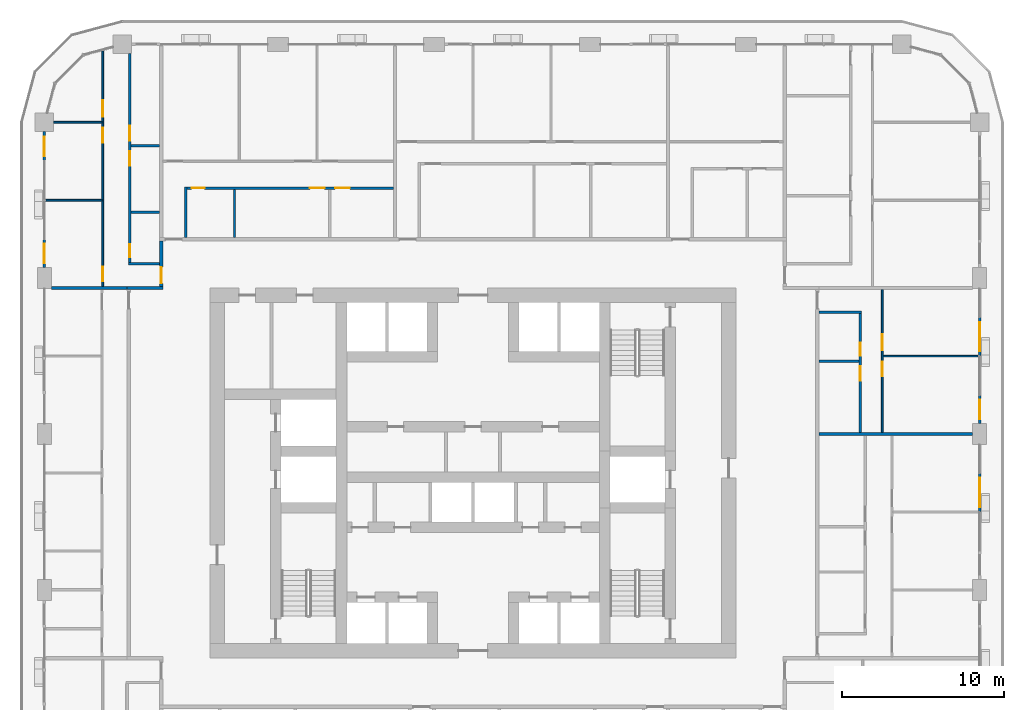
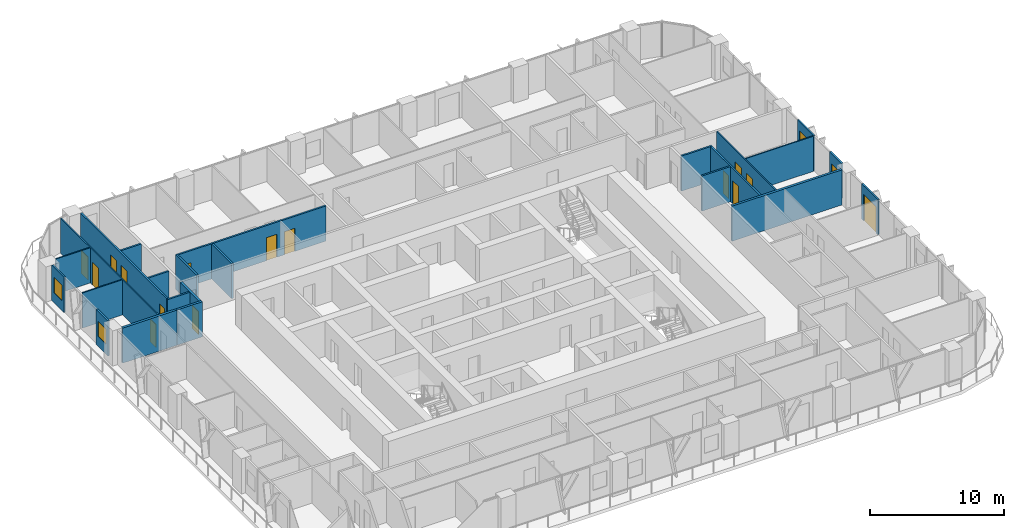
# One storey, part 13 of 21: 24 walls, 16 doors, 3 windows, 19 openings.
"""IFC4 building model written with IfcOpenShell, lengths in metres."""

import ifcopenshell
import ifcopenshell.guid

model = None  # the IFC model being written
_history = None  # IfcOwnerHistory: only IFC2X3 demands one
_inside = {}  # id of a spatial element -> (the spatial element, [elements in it])
_under = {}  # id of a project, library or spatial element -> (it, [spatial elements below it])
_declared = {}  # id of a project -> (the project, [libraries it declares])
_typed = {}  # id of a type object -> (the type object, [elements of that type])
_made_of = {}  # id of a material, layer set ... -> (it, [elements and type objects made of it])


def new_model(schema):
    """Start an empty IFC model of exactly this schema.

    Asked for "IFC4X3", IfcOpenShell would pick the latest addendum, in which some entities
    have other attributes; the version numbers below select the first issue.
    IFC2X3 requires an IfcOwnerHistory on every rooted entity: one is made here for all.
    """
    global model, _history
    if schema == "IFC4X3":
        model = ifcopenshell.file(schema_version=(4, 3, 0, 0))
    else:
        model = ifcopenshell.file(schema=schema)
    _inside.clear()
    _under.clear()
    _declared.clear()
    _typed.clear()
    _made_of.clear()
    _history = None
    if model.schema == "IFC2X3":
        org = make("IfcOrganization", Name="unknown")
        user = make(
            "IfcPersonAndOrganization",
            ThePerson=make("IfcPerson", FamilyName="unknown"),
            TheOrganization=org,
        )
        app = make(
            "IfcApplication",
            ApplicationDeveloper=org,
            Version="unknown",
            ApplicationFullName="unknown",
            ApplicationIdentifier="unknown",
        )
        _history = make(
            "IfcOwnerHistory",
            OwningUser=user,
            OwningApplication=app,
            ChangeAction="ADDED",
            CreationDate=0,
        )
    return model


def make(cls, **values):
    """One entity of the class cls with the attributes given. An attribute that is None is left unset."""
    return model.create_entity(
        cls, **{name: value for name, value in values.items() if value is not None}
    )


def rooted(cls, **values):
    """An entity with a GlobalId (a new one), such as an element, a storey or a relation."""
    return make(cls, GlobalId=ifcopenshell.guid.new(), OwnerHistory=_history, **values)


def si_unit(unit_type, name, prefix=None):
    """IfcSIUnit, for example si_unit("LENGTHUNIT", "METRE", prefix="MILLI")."""
    return make("IfcSIUnit", UnitType=unit_type, Prefix=prefix, Name=name)


def assignment(units):
    """IfcUnitAssignment: the units of a project."""
    return None if units is None else make("IfcUnitAssignment", Units=units)


def point(xyz):
    """IfcCartesianPoint."""
    return None if xyz is None else make("IfcCartesianPoint", Coordinates=xyz)


def direction(xyz):
    """IfcDirection."""
    return None if xyz is None else make("IfcDirection", DirectionRatios=xyz)


def frame(location, z_axis=None, x_axis=None):
    """IfcAxis2Placement3D, a coordinate frame: its origin and axes. An axis left out is left unset."""
    return make(
        "IfcAxis2Placement3D",
        Location=point(location),
        Axis=direction(z_axis),
        RefDirection=direction(x_axis),
    )


def frame_2d(location, x_axis=None):
    """IfcAxis2Placement2D, a coordinate frame in the plane: its origin and x axis."""
    return make(
        "IfcAxis2Placement2D", Location=point(location), RefDirection=direction(x_axis)
    )


def origin():
    """The frame at (0, 0, 0) with its axes left unset."""
    return frame((0.0, 0.0, 0.0))


def place(relative_to, where):
    """IfcLocalPlacement: puts the frame where relative to a parent placement (None: the world)."""
    return make(
        "IfcLocalPlacement", PlacementRelTo=relative_to, RelativePlacement=where
    )


def context(
    kind, dimensions, precision=None, world=None, true_north=None, identifier=None
):
    """IfcGeometricRepresentationContext, for example the 3D "Model" context."""
    return make(
        "IfcGeometricRepresentationContext",
        ContextIdentifier=identifier,
        ContextType=kind,
        CoordinateSpaceDimension=dimensions,
        Precision=precision,
        WorldCoordinateSystem=world,
        TrueNorth=true_north,
    )


def subcontext(parent, identifier, kind, view, scale=None):
    """IfcGeometricRepresentationSubContext, for example "Body" below "Model"."""
    return make(
        "IfcGeometricRepresentationSubContext",
        ContextIdentifier=identifier,
        ContextType=kind,
        ParentContext=parent,
        TargetScale=scale,
        TargetView=view,
    )


def project(units=None, contexts=None):
    """IfcProject with its units and contexts."""
    return rooted(
        "IfcProject",
        Name="project",
        RepresentationContexts=contexts,
        UnitsInContext=assignment(units),
    )


def spatial(cls, under=None, at=None, **own):
    """A site, building, storey or space (cls), placed at a placement, below another one or the project."""
    s = rooted(cls, ObjectPlacement=at, **own)
    if under is not None:
        _under.setdefault(under.id(), (under, []))[1].append(s)
    return s


def profile(cls, at=None, kind="AREA", **sizes):
    """A parametric profile (cls). Its sizes go by their IFC names, for example OverallWidth=200.0."""
    return make(cls, ProfileType=kind, Position=at, **sizes)


def rectangle(**sizes):
    """IfcRectangleProfileDef."""
    return profile("IfcRectangleProfileDef", **sizes)


def extrude(swept, where, along, depth):
    """IfcExtrudedAreaSolid: the profile swept, set in the frame where, extruded along a direction by depth."""
    return make(
        "IfcExtrudedAreaSolid",
        SweptArea=swept,
        Position=where,
        ExtrudedDirection=direction(along),
        Depth=depth,
    )


def shape(context_of_items, identifier, shape_type, items):
    """IfcShapeRepresentation: the items that make up one representation, for example the "Body"."""
    return make(
        "IfcShapeRepresentation",
        ContextOfItems=context_of_items,
        RepresentationIdentifier=identifier,
        RepresentationType=shape_type,
        Items=items,
    )


def material(Name=None, Category=None):
    """IfcMaterial."""
    return make("IfcMaterial", Name=Name, Category=Category)


def layer(
    of_material, thickness, ventilated=None, Name=None, Category=None, Priority=None
):
    """IfcMaterialLayer: one layer of a wall or slab, of a material (None: an air gap)."""
    return make(
        "IfcMaterialLayer",
        Material=of_material,
        LayerThickness=thickness,
        IsVentilated=ventilated,
        Name=Name,
        Category=Category,
        Priority=Priority,
    )


def layer_set(layers, Name=None):
    """IfcMaterialLayerSet."""
    return make("IfcMaterialLayerSet", MaterialLayers=layers, LayerSetName=Name)


def made_of(thing, what):
    """Note that an element or type object is made of a material, layer set ...; save() writes the relation."""
    if what is not None:
        _made_of.setdefault(what.id(), (what, []))[1].append(thing)
    return thing


def type_object(cls, material=None, **own):
    """A type object (cls), such as IfcWallType, which elements share."""
    return made_of(rooted(cls, **own), material)


def element(
    cls,
    number,
    at=None,
    inside=None,
    cuts=None,
    type_object=None,
    material=None,
    context=None,
    identifier="Body",
    shape_type=None,
    held_by="IfcProductDefinitionShape",
    body=None,
    shapes=None,
    **own,
):
    """One element of the class cls, such as IfcWall. Its Tag is "e" and its number.

    at: its placement. inside: the storey or other place that contains it. cuts: it is an
    opening in that element (IfcRelVoidsElement). A single representation is given by context,
    identifier, shape_type and body (its items); several are given by shapes. held_by: the class
    of the entity that holds the representations. save() writes the other relations.
    """
    e = rooted(cls, Tag="e%d" % number, ObjectPlacement=at, **own)
    if body is not None:
        shapes = [shape(context, identifier, shape_type, body)]
    if shapes is not None:
        e.Representation = make(held_by, Representations=shapes)
    if inside is not None:
        _inside.setdefault(inside.id(), (inside, []))[1].append(e)
    if cuts is not None:
        rooted(
            "IfcRelVoidsElement", RelatingBuildingElement=cuts, RelatedOpeningElement=e
        )
    if type_object is not None:
        _typed.setdefault(type_object.id(), (type_object, []))[1].append(e)
    return made_of(e, material)


def fill(opening, filler):
    """IfcRelFillsElement: the door or window that sits in an opening."""
    return rooted(
        "IfcRelFillsElement",
        RelatingOpeningElement=opening,
        RelatedBuildingElement=filler,
    )


def aggregate(whole, parts):
    """IfcRelAggregates: a whole, such as a stair, and the parts it consists of."""
    return rooted("IfcRelAggregates", RelatingObject=whole, RelatedObjects=parts)


def save(model, path):
    """Write the relations noted so far, then the file.

    IfcRelAggregates (storeys below a building ...), IfcRelContainedInSpatialStructure (elements
    in a storey), IfcRelDefinesByType, IfcRelAssociatesMaterial and IfcRelDeclares: one each for
    every whole, place, type object, material and project.
    """
    for whole, parts in _under.values():
        aggregate(whole, parts)
    for where, things in _inside.values():
        rooted(
            "IfcRelContainedInSpatialStructure",
            RelatedElements=things,
            RelatingStructure=where,
        )
    for kind, things in _typed.values():
        rooted("IfcRelDefinesByType", RelatedObjects=things, RelatingType=kind)
    for what, things in _made_of.values():
        rooted("IfcRelAssociatesMaterial", RelatedObjects=things, RelatingMaterial=what)
    for by, libraries in _declared.values():
        rooted("IfcRelDeclares", RelatingContext=by, RelatedDefinitions=libraries)
    model.write(path)


model = new_model("IFC4")

# Units and contexts
model_context = context("Model", 3, precision=1e-05, world=origin(), true_north=direction((0.0, 1.0)))
body_context = subcontext(model_context, "Body", "Model", "MODEL_VIEW")
ifc_project = project(units=[si_unit("LENGTHUNIT", "METRE"), si_unit("AREAUNIT", "SQUARE_METRE"), si_unit("VOLUMEUNIT", "CUBIC_METRE"), si_unit("PLANEANGLEUNIT", "RADIAN"), si_unit("MASSUNIT", "GRAM", prefix="KILO")], contexts=[model_context])

# Site, building, storey
site_placement = place(None, origin())
site = spatial("IfcSite", under=ifc_project, at=site_placement, CompositionType="ELEMENT")
building_placement = place(site_placement, origin())
building = spatial("IfcBuilding", under=site, at=building_placement, Name="Madar Terraces", CompositionType="ELEMENT")
storey_placement = place(building_placement, frame((0.0, 0.0, 89.199951171875)))
storey = spatial("IfcBuildingStorey", under=building, at=storey_placement, Name="L22", CompositionType="ELEMENT", Elevation=89.199951171875)

# Wall, opening, door
ifc_material_1 = material(Name="Aluminium composite panel, black, over insulated backing", Category="aluminium")
ifc_layer_1 = layer(ifc_material_1, 0.14990234375)
ifc_layer_set_1 = layer_set([ifc_layer_1], Name="Facade bay panel 150")
wall_type_1 = type_object("IfcWallType", Name="Facade bay panel 150", PredefinedType="SOLIDWALL", material=ifc_layer_set_1)
wall_1_placement = place(storey_placement, frame((62.39990234375, 24.0, 0.0), z_axis=(0.0, 0.0, 1.0), x_axis=(0.0, 1.0, 0.0)))
wall_1 = element("IfcWall", 1, at=wall_1_placement, inside=storey, type_object=wall_type_1, Name="Facade bay panel", PredefinedType="SOLIDWALL", context=body_context, shape_type="SweptSolid", body=[
    extrude(rectangle(XDim=2.39990234375, YDim=0.14990234375, at=frame_2d((1.199951171875, 0.0))), origin(), (0.0, 0.0, 1.0), 3.199951171875),
])
opening_1_placement = place(wall_1_placement, frame((0.300048828125, 0.0, 0.0)))
opening_1 = element("IfcOpeningElement", 2, at=opening_1_placement, cuts=wall_1, Name="Opening ED1", PredefinedType="OPENING", context=body_context, shape_type="SweptSolid", body=[
    extrude(rectangle(XDim=1.800048828125, YDim=2.39990234375, at=frame_2d((0.89990234375, 1.199951171875))), frame((0.0, 0.0849609375, 0.0), z_axis=(0.0, -1.0, 0.0), x_axis=(1.0, 0.0, 0.0)), (0.0, 0.0, 1.0), 0.169921875),
])
ifc_material_2 = material(Name="Glass, clear, with black aluminium frame", Category="aluminium")
door_type_1 = type_object("IfcDoorType", Name="Balcony and terrace sliding door 1800 x 2400", OperationType="SLIDING_TO_LEFT", PredefinedType="DOOR", material=ifc_material_2)
door_1_placement = place(opening_1_placement, origin())
door_1 = element("IfcDoor", 3, at=door_1_placement, inside=storey, type_object=door_type_1, Name="Balcony door", OperationType="SLIDING_TO_RIGHT", OverallHeight=2.39990234375, OverallWidth=1.800048828125, PredefinedType="DOOR", context=body_context, shape_type="SweptSolid", body=[
    extrude(rectangle(XDim=1.800048828125, YDim=2.39990234375, at=frame_2d((0.89990234375, 1.199951171875))), frame((0.0, 0.02490234375, 0.0), z_axis=(0.0, -1.0, 0.0), x_axis=(1.0, 0.0, 0.0)), (0.0, 0.0, 1.0), 0.050048828125),
])
fill(opening_1, door_1)

# Wall, opening, window
wall_2_placement = place(storey_placement, frame((62.39990234375, 29.449951171875, 0.0), z_axis=(0.0, 0.0, 1.0), x_axis=(0.0, 1.0, 0.0)))
wall_2 = element("IfcWall", 4, at=wall_2_placement, inside=storey, type_object=wall_type_1, Name="Facade bay panel", PredefinedType="SOLIDWALL", context=body_context, shape_type="SweptSolid", body=[
    extrude(rectangle(XDim=1.75, YDim=0.14990234375, at=frame_2d((0.875, 0.0))), origin(), (0.0, 0.0, 1.0), 3.199951171875),
])
opening_2_placement = place(wall_2_placement, frame((0.27490234375, 0.0, 0.89990234375)))
opening_2 = element("IfcOpeningElement", 5, at=opening_2_placement, cuts=wall_2, Name="Opening W1", PredefinedType="OPENING", context=body_context, shape_type="SweptSolid", body=[
    extrude(rectangle(XDim=1.199951171875, YDim=1.39990234375, at=frame_2d((0.60009765625, 0.699951171875))), frame((0.0, 0.0849609375, 0.0), z_axis=(0.0, -1.0, 0.0), x_axis=(1.0, 0.0, 0.0)), (0.0, 0.0, 1.0), 0.169921875),
])
ifc_material_3 = material(Name="Glass, clear, with black aluminium frame", Category="aluminium")
window_type = type_object("IfcWindowType", Name="Vent window 1200 x 1400", PartitioningType="SINGLE_PANEL", PredefinedType="WINDOW", material=ifc_material_3)
window_1_placement = place(opening_2_placement, origin())
window_1 = element("IfcWindow", 6, at=window_1_placement, inside=storey, type_object=window_type, Name="Operable vent window", OverallHeight=1.39990234375, OverallWidth=1.199951171875, PartitioningType="SINGLE_PANEL", PredefinedType="WINDOW", context=body_context, shape_type="SweptSolid", body=[
    extrude(rectangle(XDim=1.199951171875, YDim=1.39990234375, at=frame_2d((0.60009765625, 0.699951171875))), frame((0.0, 0.030029296875, 0.0), z_axis=(0.0, -1.0, 0.0), x_axis=(1.0, 0.0, 0.0)), (0.0, 0.0, 1.0), 0.06005859375),
])
fill(opening_2, window_1)

# Wall, opening, door
wall_3_placement = place(storey_placement, frame((62.39990234375, 33.60009765625, 0.0), z_axis=(0.0, 0.0, 1.0), x_axis=(0.0, 1.0, 0.0)))
wall_3 = element("IfcWall", 7, at=wall_3_placement, inside=storey, type_object=wall_type_1, Name="Facade bay panel", PredefinedType="SOLIDWALL", context=body_context, shape_type="SweptSolid", body=[
    extrude(rectangle(XDim=2.39990234375, YDim=0.14990234375, at=frame_2d((1.199951171875, 0.0))), origin(), (0.0, 0.0, 1.0), 3.199951171875),
])
opening_3_placement = place(wall_3_placement, frame((0.300048828125, 0.0, 0.0)))
opening_3 = element("IfcOpeningElement", 8, at=opening_3_placement, cuts=wall_3, Name="Opening ED1", PredefinedType="OPENING", context=body_context, shape_type="SweptSolid", body=[
    extrude(rectangle(XDim=1.800048828125, YDim=2.39990234375, at=frame_2d((0.89990234375, 1.199951171875))), frame((0.0, 0.0849609375, 0.0), z_axis=(0.0, -1.0, 0.0), x_axis=(1.0, 0.0, 0.0)), (0.0, 0.0, 1.0), 0.169921875),
])
door_2_placement = place(opening_3_placement, origin())
door_2 = element("IfcDoor", 9, at=door_2_placement, inside=storey, type_object=door_type_1, Name="Balcony door", OperationType="SLIDING_TO_LEFT", OverallHeight=2.39990234375, OverallWidth=1.800048828125, PredefinedType="DOOR", context=body_context, shape_type="SweptSolid", body=[
    extrude(rectangle(XDim=1.800048828125, YDim=2.39990234375, at=frame_2d((0.89990234375, 1.199951171875))), frame((0.0, 0.02490234375, 0.0), z_axis=(0.0, -1.0, 0.0), x_axis=(1.0, 0.0, 0.0)), (0.0, 0.0, 1.0), 0.050048828125),
])
fill(opening_3, door_2)

# Wall, opening, window
wall_4_placement = place(storey_placement, frame((4.800048828125, 47.425048828125, 0.0), z_axis=(0.0, 0.0, 1.0), x_axis=(0.0, -1.0, 0.0)))
wall_4 = element("IfcWall", 10, at=wall_4_placement, inside=storey, type_object=wall_type_1, Name="Facade bay panel", PredefinedType="SOLIDWALL", context=body_context, shape_type="SweptSolid", body=[
    extrude(rectangle(XDim=1.824951171875, YDim=0.14990234375, at=frame_2d((0.91259765625, 0.0))), origin(), (0.0, 0.0, 1.0), 3.199951171875),
])
opening_4_placement = place(wall_4_placement, frame((0.3125, 0.0, 0.89990234375)))
opening_4 = element("IfcOpeningElement", 11, at=opening_4_placement, cuts=wall_4, Name="Opening W1", PredefinedType="OPENING", context=body_context, shape_type="SweptSolid", body=[
    extrude(rectangle(XDim=1.199951171875, YDim=1.39990234375, at=frame_2d((0.60009765625, 0.699951171875))), frame((0.0, 0.0849609375, 0.0), z_axis=(0.0, -1.0, 0.0), x_axis=(1.0, 0.0, 0.0)), (0.0, 0.0, 1.0), 0.169921875),
])
window_2_placement = place(opening_4_placement, origin())
window_2 = element("IfcWindow", 12, at=window_2_placement, inside=storey, type_object=window_type, Name="Operable vent window", OverallHeight=1.39990234375, OverallWidth=1.199951171875, PartitioningType="SINGLE_PANEL", PredefinedType="WINDOW", context=body_context, shape_type="SweptSolid", body=[
    extrude(rectangle(XDim=1.199951171875, YDim=1.39990234375, at=frame_2d((0.60009765625, 0.699951171875))), frame((0.0, 0.030029296875, 0.0), z_axis=(0.0, -1.0, 0.0), x_axis=(1.0, 0.0, 0.0)), (0.0, 0.0, 1.0), 0.06005859375),
])
fill(opening_4, window_2)

wall_5_placement = place(storey_placement, frame((4.800048828125, 40.800048828125, 0.0), z_axis=(0.0, 0.0, 1.0), x_axis=(0.0, -1.0, 0.0)))
wall_5 = element("IfcWall", 13, at=wall_5_placement, inside=storey, type_object=wall_type_1, Name="Facade bay panel", PredefinedType="SOLIDWALL", context=body_context, shape_type="SweptSolid", body=[
    extrude(rectangle(XDim=1.75, YDim=0.14990234375, at=frame_2d((0.875, 0.0))), origin(), (0.0, 0.0, 1.0), 3.199951171875),
])
opening_5_placement = place(wall_5_placement, frame((0.27490234375, 0.0, 0.89990234375)))
opening_5 = element("IfcOpeningElement", 14, at=opening_5_placement, cuts=wall_5, Name="Opening W1", PredefinedType="OPENING", context=body_context, shape_type="SweptSolid", body=[
    extrude(rectangle(XDim=1.199951171875, YDim=1.39990234375, at=frame_2d((0.60009765625, 0.699951171875))), frame((0.0, 0.0849609375, 0.0), z_axis=(0.0, -1.0, 0.0), x_axis=(1.0, 0.0, 0.0)), (0.0, 0.0, 1.0), 0.169921875),
])
window_3_placement = place(opening_5_placement, origin())
window_3 = element("IfcWindow", 15, at=window_3_placement, inside=storey, type_object=window_type, Name="Operable vent window", OverallHeight=1.39990234375, OverallWidth=1.199951171875, PartitioningType="SINGLE_PANEL", PredefinedType="WINDOW", context=body_context, shape_type="SweptSolid", body=[
    extrude(rectangle(XDim=1.199951171875, YDim=1.39990234375, at=frame_2d((0.60009765625, 0.699951171875))), frame((0.0, 0.030029296875, 0.0), z_axis=(0.0, -1.0, 0.0), x_axis=(1.0, 0.0, 0.0)), (0.0, 0.0, 1.0), 0.06005859375),
])
fill(opening_5, window_3)

# Wall
ifc_material_4 = material(Name="Gypsum board on steel studs", Category="steel")
ifc_layer_2 = layer(ifc_material_4, 0.10009765625)
ifc_layer_set_2 = layer_set([ifc_layer_2], Name="Flat partition 100")
wall_type_2 = type_object("IfcWallType", Name="Flat partition 100", PredefinedType="PARTITIONING", material=ifc_layer_set_2)
wall_6_placement = place(storey_placement, frame((56.449951171875, 33.60009765625, 0.0), z_axis=(0.0, 0.0, 1.0), x_axis=(1.0, 0.0, 0.0)))
element("IfcWall", 16, at=wall_6_placement, inside=storey, type_object=wall_type_2, Name="Flat partition 100", PredefinedType="PARTITIONING", context=body_context, shape_type="SweptSolid", body=[
    extrude(rectangle(XDim=5.85009765625, YDim=0.10009765625, at=frame_2d((2.925048828125, 0.0))), origin(), (0.0, 0.0, 1.0), 3.199951171875),
])

# Wall, openings, doors
wall_7_placement = place(storey_placement, frame((56.39990234375, 37.699951171875, 0.0), z_axis=(0.0, 0.0, 1.0), x_axis=(0.0, -1.0, 0.0)))
wall_7 = element("IfcWall", 17, at=wall_7_placement, inside=storey, type_object=wall_type_2, Name="Flat partition 100", PredefinedType="PARTITIONING", context=body_context, shape_type="SweptSolid", body=[
    extrude(rectangle(XDim=8.800048828125, YDim=0.10009765625, at=frame_2d((4.39990234375, 0.0))), origin(), (0.0, 0.0, 1.0), 3.199951171875),
])
opening_6_placement = place(wall_7_placement, frame((2.75, 0.0, 0.0)))
opening_6 = element("IfcOpeningElement", 18, at=opening_6_placement, cuts=wall_7, Name="Opening D3", PredefinedType="OPENING", context=body_context, shape_type="SweptSolid", body=[
    extrude(rectangle(XDim=1.0, YDim=2.10009765625, at=frame_2d((0.5, 1.050048828125))), frame((0.0, 0.06005859375, 0.0), z_axis=(0.0, -1.0, 0.0), x_axis=(1.0, 0.0, 0.0)), (0.0, 0.0, 1.0), 0.1201171875),
])
opening_7_placement = place(wall_7_placement, frame((4.449951171875, 0.0, 0.0)))
opening_7 = element("IfcOpeningElement", 19, at=opening_7_placement, cuts=wall_7, Name="Opening D2", PredefinedType="OPENING", context=body_context, shape_type="SweptSolid", body=[
    extrude(rectangle(XDim=0.89990234375, YDim=2.10009765625, at=frame_2d((0.449951171875, 1.050048828125))), frame((0.0, 0.06005859375, 0.0), z_axis=(0.0, -1.0, 0.0), x_axis=(1.0, 0.0, 0.0)), (0.0, 0.0, 1.0), 0.1201171875),
])
ifc_material_5 = material(Name="Timber door leaf", Category="wood")
door_type_2 = type_object("IfcDoorType", Name="Flat living room door 1000", OperationType="NOTDEFINED", PredefinedType="DOOR", material=ifc_material_5)
door_3_placement = place(opening_6_placement, origin())
door_3 = element("IfcDoor", 20, at=door_3_placement, inside=storey, type_object=door_type_2, Name="Flat living room door 1000", OperationType="SINGLE_SWING_RIGHT", OverallHeight=2.10009765625, OverallWidth=1.0, PredefinedType="DOOR", context=body_context, shape_type="SweptSolid", body=[
    extrude(rectangle(XDim=1.0, YDim=2.10009765625, at=frame_2d((0.5, 1.050048828125))), frame((0.0, 0.02490234375, 0.0), z_axis=(0.0, -1.0, 0.0), x_axis=(1.0, 0.0, 0.0)), (0.0, 0.0, 1.0), 0.050048828125),
])
fill(opening_6, door_3)
ifc_material_6 = material(Name="Timber door leaf", Category="wood")
door_type_3 = type_object("IfcDoorType", Name="Flat room door 900", OperationType="NOTDEFINED", PredefinedType="DOOR", material=ifc_material_6)
door_4_placement = place(opening_7_placement, origin())
door_4 = element("IfcDoor", 21, at=door_4_placement, inside=storey, type_object=door_type_3, Name="Flat room door 900", OperationType="SINGLE_SWING_LEFT", OverallHeight=2.10009765625, OverallWidth=0.89990234375, PredefinedType="DOOR", context=body_context, shape_type="SweptSolid", body=[
    extrude(rectangle(XDim=0.89990234375, YDim=2.10009765625, at=frame_2d((0.449951171875, 1.050048828125))), frame((0.0, 0.02490234375, 0.0), z_axis=(0.0, -1.0, 0.0), x_axis=(1.0, 0.0, 0.0)), (0.0, 0.0, 1.0), 0.050048828125),
])
fill(opening_7, door_4)

# Walls
wall_8_placement = place(storey_placement, frame((8.35009765625, 43.199951171875, 0.0), z_axis=(0.0, 0.0, 1.0), x_axis=(-1.0, 0.0, 0.0)))
element("IfcWall", 22, at=wall_8_placement, inside=storey, type_object=wall_type_2, Name="Flat partition 100", PredefinedType="PARTITIONING", context=body_context, shape_type="SweptSolid", body=[
    extrude(rectangle(XDim=3.4501953125, YDim=0.10009765625, at=frame_2d((1.72509765625, 0.0))), origin(), (0.0, 0.0, 1.0), 3.199951171875),
])
wall_9_placement = place(storey_placement, frame((8.35009765625, 48.0, 0.0), z_axis=(0.0, 0.0, 1.0), x_axis=(-1.0, 0.0, 0.0)))
element("IfcWall", 23, at=wall_9_placement, inside=storey, type_object=wall_type_2, Name="Flat partition 100", PredefinedType="PARTITIONING", context=body_context, shape_type="SweptSolid", body=[
    extrude(rectangle(XDim=2.97509765625, YDim=0.10009765625, at=frame_2d((1.487548828125, 0.0))), origin(), (0.0, 0.0, 1.0), 3.199951171875),
])

# Wall, openings, doors
wall_10_placement = place(storey_placement, frame((8.39990234375, 37.89990234375, 0.0), z_axis=(0.0, 0.0, 1.0), x_axis=(0.0, 1.0, 0.0)))
wall_10 = element("IfcWall", 24, at=wall_10_placement, inside=storey, type_object=wall_type_2, Name="Flat partition 100", PredefinedType="PARTITIONING", context=body_context, shape_type="SweptSolid", body=[
    extrude(rectangle(XDim=14.478515625, YDim=0.10009765625, at=frame_2d((7.2392578125, 0.0))), origin(), (0.0, 0.0, 1.0), 3.199951171875),
])
opening_8_placement = place(wall_10_placement, frame((0.300048828125, 0.0, 0.0)))
opening_8 = element("IfcOpeningElement", 25, at=opening_8_placement, cuts=wall_10, Name="Opening D2", PredefinedType="OPENING", context=body_context, shape_type="SweptSolid", body=[
    extrude(rectangle(XDim=0.89990234375, YDim=2.10009765625, at=frame_2d((0.449951171875, 1.050048828125))), frame((0.0, 0.06005859375, 0.0), z_axis=(0.0, -1.0, 0.0), x_axis=(1.0, 0.0, 0.0)), (0.0, 0.0, 1.0), 0.1201171875),
])
opening_9_placement = place(wall_10_placement, frame((8.85009765625, 0.0, 0.0)))
opening_9 = element("IfcOpeningElement", 26, at=opening_9_placement, cuts=wall_10, Name="Opening D2", PredefinedType="OPENING", context=body_context, shape_type="SweptSolid", body=[
    extrude(rectangle(XDim=0.89990234375, YDim=2.10009765625, at=frame_2d((0.449951171875, 1.050048828125))), frame((0.0, 0.06005859375, 0.0), z_axis=(0.0, -1.0, 0.0), x_axis=(1.0, 0.0, 0.0)), (0.0, 0.0, 1.0), 0.1201171875),
])
opening_10_placement = place(wall_10_placement, frame((10.449951171875, 0.0, 0.0)))
opening_10 = element("IfcOpeningElement", 27, at=opening_10_placement, cuts=wall_10, Name="Opening D3", PredefinedType="OPENING", context=body_context, shape_type="SweptSolid", body=[
    extrude(rectangle(XDim=1.0, YDim=2.10009765625, at=frame_2d((0.5, 1.050048828125))), frame((0.0, 0.06005859375, 0.0), z_axis=(0.0, -1.0, 0.0), x_axis=(1.0, 0.0, 0.0)), (0.0, 0.0, 1.0), 0.1201171875),
])
door_5_placement = place(opening_10_placement, origin())
door_5 = element("IfcDoor", 28, at=door_5_placement, inside=storey, type_object=door_type_2, Name="Flat living room door 1000", OperationType="SINGLE_SWING_LEFT", OverallHeight=2.10009765625, OverallWidth=1.0, PredefinedType="DOOR", context=body_context, shape_type="SweptSolid", body=[
    extrude(rectangle(XDim=1.0, YDim=2.10009765625, at=frame_2d((0.5, 1.050048828125))), frame((0.0, 0.02490234375, 0.0), z_axis=(0.0, -1.0, 0.0), x_axis=(1.0, 0.0, 0.0)), (0.0, 0.0, 1.0), 0.050048828125),
])
fill(opening_10, door_5)
door_6_placement = place(opening_8_placement, origin())
door_6 = element("IfcDoor", 29, at=door_6_placement, inside=storey, type_object=door_type_3, Name="Flat room door 900", OperationType="SINGLE_SWING_LEFT", OverallHeight=2.10009765625, OverallWidth=0.89990234375, PredefinedType="DOOR", context=body_context, shape_type="SweptSolid", body=[
    extrude(rectangle(XDim=0.89990234375, YDim=2.10009765625, at=frame_2d((0.449951171875, 1.050048828125))), frame((0.0, 0.02490234375, 0.0), z_axis=(0.0, -1.0, 0.0), x_axis=(1.0, 0.0, 0.0)), (0.0, 0.0, 1.0), 0.050048828125),
])
fill(opening_8, door_6)
door_7_placement = place(opening_9_placement, origin())
door_7 = element("IfcDoor", 30, at=door_7_placement, inside=storey, type_object=door_type_3, Name="Flat room door 900", OperationType="SINGLE_SWING_RIGHT", OverallHeight=2.10009765625, OverallWidth=0.89990234375, PredefinedType="DOOR", context=body_context, shape_type="SweptSolid", body=[
    extrude(rectangle(XDim=0.89990234375, YDim=2.10009765625, at=frame_2d((0.449951171875, 1.050048828125))), frame((0.0, 0.02490234375, 0.0), z_axis=(0.0, -1.0, 0.0), x_axis=(1.0, 0.0, 0.0)), (0.0, 0.0, 1.0), 0.050048828125),
])
fill(opening_9, door_7)

# Wall, opening, door
ifc_material_7 = material(Name="Lightweight blockwork", Category="masonry")
ifc_layer_3 = layer(ifc_material_7, 0.199951171875)
ifc_layer_set_3 = layer_set([ifc_layer_3], Name="Flat party and entrance wall 200")
wall_type_3 = type_object("IfcWallType", Name="Flat party and entrance wall 200", PredefinedType="PARTITIONING", material=ifc_layer_set_3)
wall_11_placement = place(storey_placement, frame((12.0, 37.89990234375, 0.0), z_axis=(0.0, 0.0, 1.0), x_axis=(0.0, 1.0, 0.0)))
wall_11 = element("IfcWall", 31, at=wall_11_placement, inside=storey, type_object=wall_type_3, Name="Flat party and entrance wall 200", PredefinedType="PARTITIONING", context=body_context, shape_type="SweptSolid", body=[
    extrude(rectangle(XDim=2.800048828125, YDim=0.199951171875, at=frame_2d((1.39990234375, 0.0))), origin(), (0.0, 0.0, 1.0), 3.199951171875),
])
opening_11_placement = place(wall_11_placement, frame((0.175048828125, 0.0, 0.0)))
opening_11 = element("IfcOpeningElement", 32, at=opening_11_placement, cuts=wall_11, Name="Opening D1", PredefinedType="OPENING", context=body_context, shape_type="SweptSolid", body=[
    extrude(rectangle(XDim=1.0, YDim=2.10009765625, at=frame_2d((0.5, 1.050048828125))), frame((0.0, 0.10986328125, 0.0), z_axis=(0.0, -1.0, 0.0), x_axis=(1.0, 0.0, 0.0)), (0.0, 0.0, 1.0), 0.219970703125),
])
ifc_material_8 = material(Name="Timber fire door leaf", Category="wood")
door_type_4 = type_object("IfcDoorType", Name="Flat entrance door 1000 FD30S", OperationType="NOTDEFINED", PredefinedType="DOOR", material=ifc_material_8)
door_8_placement = place(opening_11_placement, origin())
door_8 = element("IfcDoor", 33, at=door_8_placement, inside=storey, type_object=door_type_4, Name="Flat entrance door 1000 FD30S", OperationType="SINGLE_SWING_LEFT", OverallHeight=2.10009765625, OverallWidth=1.0, PredefinedType="DOOR", context=body_context, shape_type="SweptSolid", body=[
    extrude(rectangle(XDim=1.0, YDim=2.10009765625, at=frame_2d((0.5, 1.050048828125))), frame((0.0, 0.02490234375, 0.0), z_axis=(0.0, -1.0, 0.0), x_axis=(1.0, 0.0, 0.0)), (0.0, 0.0, 1.0), 0.050048828125),
])
fill(opening_11, door_8)

# Walls
wall_12_placement = place(storey_placement, frame((12.10009765625, 37.800048828125, 0.0), z_axis=(0.0, 0.0, 1.0), x_axis=(-1.0, 0.0, 0.0)))
element("IfcWall", 34, at=wall_12_placement, inside=storey, type_object=wall_type_3, Name="Flat party and entrance wall 200", PredefinedType="PARTITIONING", context=body_context, shape_type="SweptSolid", body=[
    extrude(rectangle(XDim=2.2001953125, YDim=0.199951171875, at=frame_2d((1.10009765625, 0.0))), origin(), (0.0, 0.0, 1.0), 3.199951171875),
])
wall_13_placement = place(storey_placement, frame((52.5, 28.800048828125, 0.0), z_axis=(0.0, 0.0, 1.0), x_axis=(1.0, 0.0, 0.0)))
element("IfcWall", 35, at=wall_13_placement, inside=storey, type_object=wall_type_3, Name="Flat party and entrance wall 200", PredefinedType="PARTITIONING", context=body_context, shape_type="SweptSolid", body=[
    extrude(rectangle(XDim=9.47509765625, YDim=0.199951171875, at=frame_2d((4.737548828125, 0.0))), origin(), (0.0, 0.0, 1.0), 3.199951171875),
])
wall_14_placement = place(storey_placement, frame((5.22509765625, 37.800048828125, 0.0), z_axis=(0.0, 0.0, 1.0), x_axis=(1.0, 0.0, 0.0)))
element("IfcWall", 36, at=wall_14_placement, inside=storey, type_object=wall_type_3, Name="Flat party and entrance wall 200", PredefinedType="PARTITIONING", context=body_context, shape_type="SweptSolid", body=[
    extrude(rectangle(XDim=4.6748046875, YDim=0.199951171875, at=frame_2d((2.33740234375, 0.0))), origin(), (0.0, 0.0, 1.0), 3.199951171875),
])
ifc_material_9 = material(Name="Lightweight blockwork", Category="masonry")
ifc_layer_4 = layer(ifc_material_9, 0.14990234375)
ifc_layer_set_4 = layer_set([ifc_layer_4], Name="Flat wet-room partition 150")
wall_type_4 = type_object("IfcWallType", Name="Flat wet-room partition 150", PredefinedType="PARTITIONING", material=ifc_layer_set_4)
wall_15_placement = place(storey_placement, frame((52.5, 33.294921875, 0.0), z_axis=(0.0, 0.0, 1.0), x_axis=(1.0, 0.0, 0.0)))
element("IfcWall", 37, at=wall_15_placement, inside=storey, type_object=wall_type_4, Name="Flat wet-room partition 150", PredefinedType="PARTITIONING", context=body_context, shape_type="SweptSolid", body=[
    extrude(rectangle(XDim=2.47509765625, YDim=0.14990234375, at=frame_2d((1.237548828125, 0.0))), origin(), (0.0, 0.0, 1.0), 3.199951171875),
])
wall_16_placement = place(storey_placement, frame((52.5, 36.300048828125, 0.0), z_axis=(0.0, 0.0, 1.0), x_axis=(1.0, 0.0, 0.0)))
element("IfcWall", 38, at=wall_16_placement, inside=storey, type_object=wall_type_4, Name="Flat wet-room partition 150", PredefinedType="PARTITIONING", context=body_context, shape_type="SweptSolid", body=[
    extrude(rectangle(XDim=2.625, YDim=0.14990234375, at=frame_2d((1.3125, 0.0))), origin(), (0.0, 0.0, 1.0), 3.199951171875),
])

# Wall, openings, doors
wall_17_placement = place(storey_placement, frame((55.050048828125, 28.89990234375, 0.0), z_axis=(0.0, 0.0, 1.0), x_axis=(0.0, 1.0, 0.0)))
wall_17 = element("IfcWall", 39, at=wall_17_placement, inside=storey, type_object=wall_type_4, Name="Flat wet-room partition 150", PredefinedType="PARTITIONING", context=body_context, shape_type="SweptSolid", body=[
    extrude(rectangle(XDim=7.3251953125, YDim=0.14990234375, at=frame_2d((3.66259765625, 0.0))), origin(), (0.0, 0.0, 1.0), 3.199951171875),
])
opening_12_placement = place(wall_17_placement, frame((4.719970703125, 0.0, 0.0)))
opening_12 = element("IfcOpeningElement", 40, at=opening_12_placement, cuts=wall_17, Name="Opening D4", PredefinedType="OPENING", context=body_context, shape_type="SweptSolid", body=[
    extrude(rectangle(XDim=0.800048828125, YDim=2.10009765625, at=frame_2d((0.39990234375, 1.050048828125))), frame((0.0, 0.0849609375, 0.0), z_axis=(0.0, -1.0, 0.0), x_axis=(1.0, 0.0, 0.0)), (0.0, 0.0, 1.0), 0.169921875),
])
opening_13_placement = place(wall_17_placement, frame((3.169921875, 0.0, 0.0)))
opening_13 = element("IfcOpeningElement", 41, at=opening_13_placement, cuts=wall_17, Name="Opening D2", PredefinedType="OPENING", context=body_context, shape_type="SweptSolid", body=[
    extrude(rectangle(XDim=0.89990234375, YDim=2.10009765625, at=frame_2d((0.449951171875, 1.050048828125))), frame((0.0, 0.0849609375, 0.0), z_axis=(0.0, -1.0, 0.0), x_axis=(1.0, 0.0, 0.0)), (0.0, 0.0, 1.0), 0.169921875),
])
ifc_material_10 = material(Name="Timber door leaf", Category="wood")
door_type_5 = type_object("IfcDoorType", Name="Flat bathroom door 800", OperationType="NOTDEFINED", PredefinedType="DOOR", material=ifc_material_10)
door_9_placement = place(opening_12_placement, origin())
door_9 = element("IfcDoor", 42, at=door_9_placement, inside=storey, type_object=door_type_5, Name="Flat bathroom door 800", OperationType="SINGLE_SWING_LEFT", OverallHeight=2.10009765625, OverallWidth=0.800048828125, PredefinedType="DOOR", context=body_context, shape_type="SweptSolid", body=[
    extrude(rectangle(XDim=0.800048828125, YDim=2.10009765625, at=frame_2d((0.39990234375, 1.050048828125))), frame((0.0, 0.02490234375, 0.0), z_axis=(0.0, -1.0, 0.0), x_axis=(1.0, 0.0, 0.0)), (0.0, 0.0, 1.0), 0.050048828125),
])
fill(opening_12, door_9)
door_10_placement = place(opening_13_placement, origin())
door_10 = element("IfcDoor", 43, at=door_10_placement, inside=storey, type_object=door_type_3, Name="Flat room door 900", OperationType="SINGLE_SWING_RIGHT", OverallHeight=2.10009765625, OverallWidth=0.89990234375, PredefinedType="DOOR", context=body_context, shape_type="SweptSolid", body=[
    extrude(rectangle(XDim=0.89990234375, YDim=2.10009765625, at=frame_2d((0.449951171875, 1.050048828125))), frame((0.0, 0.02490234375, 0.0), z_axis=(0.0, -1.0, 0.0), x_axis=(1.0, 0.0, 0.0)), (0.0, 0.0, 1.0), 0.050048828125),
])
fill(opening_13, door_10)

# Walls
wall_18_placement = place(storey_placement, frame((16.511474609375, 40.89990234375, 0.0), z_axis=(0.0, 0.0, 1.0), x_axis=(0.0, 1.0, 0.0)))
element("IfcWall", 44, at=wall_18_placement, inside=storey, type_object=wall_type_4, Name="Flat wet-room partition 150", PredefinedType="PARTITIONING", context=body_context, shape_type="SweptSolid", body=[
    extrude(rectangle(XDim=2.97509765625, YDim=0.14990234375, at=frame_2d((1.487548828125, 0.0))), origin(), (0.0, 0.0, 1.0), 3.199951171875),
])
wall_19_placement = place(storey_placement, frame((13.5, 40.89990234375, 0.0), z_axis=(0.0, 0.0, 1.0), x_axis=(0.0, 1.0, 0.0)))
element("IfcWall", 45, at=wall_19_placement, inside=storey, type_object=wall_type_4, Name="Flat wet-room partition 150", PredefinedType="PARTITIONING", context=body_context, shape_type="SweptSolid", body=[
    extrude(rectangle(XDim=3.125, YDim=0.14990234375, at=frame_2d((1.5625, 0.0))), origin(), (0.0, 0.0, 1.0), 3.199951171875),
])

# Wall, openings, doors
wall_20_placement = place(storey_placement, frame((26.300048828125, 43.949951171875, 0.0), z_axis=(0.0, 0.0, 1.0), x_axis=(-1.0, 0.0, 0.0)))
wall_20 = element("IfcWall", 46, at=wall_20_placement, inside=storey, type_object=wall_type_4, Name="Flat wet-room partition 150", PredefinedType="PARTITIONING", context=body_context, shape_type="SweptSolid", body=[
    extrude(rectangle(XDim=12.72509765625, YDim=0.14990234375, at=frame_2d((6.362548828125, 0.0))), origin(), (0.0, 0.0, 1.0), 3.199951171875),
])
opening_14_placement = place(wall_20_placement, frame((11.625, 0.0, 0.0)))
opening_14 = element("IfcOpeningElement", 47, at=opening_14_placement, cuts=wall_20, Name="Opening D4", PredefinedType="OPENING", context=body_context, shape_type="SweptSolid", body=[
    extrude(rectangle(XDim=0.800048828125, YDim=2.10009765625, at=frame_2d((0.39990234375, 1.050048828125))), frame((0.0, 0.0849609375, 0.0), z_axis=(0.0, -1.0, 0.0), x_axis=(1.0, 0.0, 0.0)), (0.0, 0.0, 1.0), 0.169921875),
])
opening_15_placement = place(wall_20_placement, frame((4.240478515625, 0.0, 0.0)))
opening_15 = element("IfcOpeningElement", 48, at=opening_15_placement, cuts=wall_20, Name="Opening D2", PredefinedType="OPENING", context=body_context, shape_type="SweptSolid", body=[
    extrude(rectangle(XDim=0.89990234375, YDim=2.10009765625, at=frame_2d((0.449951171875, 1.050048828125))), frame((0.0, 0.0849609375, 0.0), z_axis=(0.0, -1.0, 0.0), x_axis=(1.0, 0.0, 0.0)), (0.0, 0.0, 1.0), 0.169921875),
])
opening_16_placement = place(wall_20_placement, frame((2.6904296875, 0.0, 0.0)))
opening_16 = element("IfcOpeningElement", 49, at=opening_16_placement, cuts=wall_20, Name="Opening D5", PredefinedType="OPENING", context=body_context, shape_type="SweptSolid", body=[
    extrude(rectangle(XDim=0.89990234375, YDim=2.10009765625, at=frame_2d((0.449951171875, 1.050048828125))), frame((0.0, 0.0849609375, 0.0), z_axis=(0.0, -1.0, 0.0), x_axis=(1.0, 0.0, 0.0)), (0.0, 0.0, 1.0), 0.169921875),
])
ifc_material_11 = material(Name="Timber door leaf", Category="wood")
door_type_6 = type_object("IfcDoorType", Name="Flat accessible bathroom door 900", OperationType="NOTDEFINED", PredefinedType="DOOR", material=ifc_material_11)
door_11_placement = place(opening_16_placement, origin())
door_11 = element("IfcDoor", 50, at=door_11_placement, inside=storey, type_object=door_type_6, Name="Flat accessible bathroom door 900", OperationType="SINGLE_SWING_RIGHT", OverallHeight=2.10009765625, OverallWidth=0.89990234375, PredefinedType="DOOR", context=body_context, shape_type="SweptSolid", body=[
    extrude(rectangle(XDim=0.89990234375, YDim=2.10009765625, at=frame_2d((0.449951171875, 1.050048828125))), frame((0.0, 0.02490234375, 0.0), z_axis=(0.0, -1.0, 0.0), x_axis=(1.0, 0.0, 0.0)), (0.0, 0.0, 1.0), 0.050048828125),
])
fill(opening_16, door_11)
door_12_placement = place(opening_14_placement, origin())
door_12 = element("IfcDoor", 51, at=door_12_placement, inside=storey, type_object=door_type_5, Name="Flat bathroom door 800", OperationType="SINGLE_SWING_RIGHT", OverallHeight=2.10009765625, OverallWidth=0.800048828125, PredefinedType="DOOR", context=body_context, shape_type="SweptSolid", body=[
    extrude(rectangle(XDim=0.800048828125, YDim=2.10009765625, at=frame_2d((0.39990234375, 1.050048828125))), frame((0.0, 0.02490234375, 0.0), z_axis=(0.0, -1.0, 0.0), x_axis=(1.0, 0.0, 0.0)), (0.0, 0.0, 1.0), 0.050048828125),
])
fill(opening_14, door_12)
door_13_placement = place(opening_15_placement, origin())
door_13 = element("IfcDoor", 52, at=door_13_placement, inside=storey, type_object=door_type_3, Name="Flat room door 900", OperationType="SINGLE_SWING_LEFT", OverallHeight=2.10009765625, OverallWidth=0.89990234375, PredefinedType="DOOR", context=body_context, shape_type="SweptSolid", body=[
    extrude(rectangle(XDim=0.89990234375, YDim=2.10009765625, at=frame_2d((0.449951171875, 1.050048828125))), frame((0.0, 0.02490234375, 0.0), z_axis=(0.0, -1.0, 0.0), x_axis=(1.0, 0.0, 0.0)), (0.0, 0.0, 1.0), 0.050048828125),
])
fill(opening_15, door_13)

# Walls
for number, where, z_axis, x_axis, name in (
    (53, (11.89990234375, 42.449951171875, 0.0), (0.0, 0.0, 1.0), (-1.0, 0.0, 0.0), "Flat wet-room partition 150"),
    (54, (11.89990234375, 46.550048828125, 0.0), (0.0, 0.0, 1.0), (-1.0, 0.0, 0.0), "Flat wet-room partition 150"),
):
    element("IfcWall", number, at=place(storey_placement, frame(where, z_axis=z_axis, x_axis=x_axis)), inside=storey, type_object=wall_type_4, Name=name, PredefinedType="PARTITIONING", context=body_context, shape_type="SweptSolid", body=[
        extrude(rectangle(XDim=1.77490234375, YDim=0.14990234375, at=frame_2d((0.887451171875, 0.0))), origin(), (0.0, 0.0, 1.0), 3.199951171875),
    ])
wall_21_placement = place(storey_placement, frame((11.89990234375, 39.300048828125, 0.0), z_axis=(0.0, 0.0, 1.0), x_axis=(-1.0, 0.0, 0.0)))
element("IfcWall", 55, at=wall_21_placement, inside=storey, type_object=wall_type_4, Name="Flat wet-room partition 150", PredefinedType="PARTITIONING", context=body_context, shape_type="SweptSolid", body=[
    extrude(rectangle(XDim=1.9248046875, YDim=0.14990234375, at=frame_2d((0.96240234375, 0.0))), origin(), (0.0, 0.0, 1.0), 3.199951171875),
])

# Wall, openings, doors
wall_22_placement = place(storey_placement, frame((10.050048828125, 52.22509765625, 0.0), z_axis=(0.0, 0.0, 1.0), x_axis=(0.0, -1.0, 0.0)))
wall_22 = element("IfcWall", 56, at=wall_22_placement, inside=storey, type_object=wall_type_4, Name="Flat wet-room partition 150", PredefinedType="PARTITIONING", context=body_context, shape_type="SweptSolid", body=[
    extrude(rectangle(XDim=12.85009765625, YDim=0.14990234375, at=frame_2d((6.425048828125, 0.0))), origin(), (0.0, 0.0, 1.0), 3.199951171875),
])
opening_17_placement = place(wall_22_placement, frame((11.75, 0.0, 0.0)))
opening_17 = element("IfcOpeningElement", 57, at=opening_17_placement, cuts=wall_22, Name="Opening D4", PredefinedType="OPENING", context=body_context, shape_type="SweptSolid", body=[
    extrude(rectangle(XDim=0.800048828125, YDim=2.10009765625, at=frame_2d((0.39990234375, 1.050048828125))), frame((0.0, 0.0849609375, 0.0), z_axis=(0.0, -1.0, 0.0), x_axis=(1.0, 0.0, 0.0)), (0.0, 0.0, 1.0), 0.169921875),
])
opening_18_placement = place(wall_22_placement, frame((6.0, 0.0, 0.0)))
opening_18 = element("IfcOpeningElement", 58, at=opening_18_placement, cuts=wall_22, Name="Opening D5", PredefinedType="OPENING", context=body_context, shape_type="SweptSolid", body=[
    extrude(rectangle(XDim=0.89990234375, YDim=2.10009765625, at=frame_2d((0.449951171875, 1.050048828125))), frame((0.0, 0.0849609375, 0.0), z_axis=(0.0, -1.0, 0.0), x_axis=(1.0, 0.0, 0.0)), (0.0, 0.0, 1.0), 0.169921875),
])
opening_19_placement = place(wall_22_placement, frame((4.449951171875, 0.0, 0.0)))
opening_19 = element("IfcOpeningElement", 59, at=opening_19_placement, cuts=wall_22, Name="Opening D2", PredefinedType="OPENING", context=body_context, shape_type="SweptSolid", body=[
    extrude(rectangle(XDim=0.89990234375, YDim=2.10009765625, at=frame_2d((0.449951171875, 1.050048828125))), frame((0.0, 0.0849609375, 0.0), z_axis=(0.0, -1.0, 0.0), x_axis=(1.0, 0.0, 0.0)), (0.0, 0.0, 1.0), 0.169921875),
])
door_14_placement = place(opening_18_placement, origin())
door_14 = element("IfcDoor", 60, at=door_14_placement, inside=storey, type_object=door_type_6, Name="Flat accessible bathroom door 900", OperationType="SINGLE_SWING_LEFT", OverallHeight=2.10009765625, OverallWidth=0.89990234375, PredefinedType="DOOR", context=body_context, shape_type="SweptSolid", body=[
    extrude(rectangle(XDim=0.89990234375, YDim=2.10009765625, at=frame_2d((0.449951171875, 1.050048828125))), frame((0.0, 0.02490234375, 0.0), z_axis=(0.0, -1.0, 0.0), x_axis=(1.0, 0.0, 0.0)), (0.0, 0.0, 1.0), 0.050048828125),
])
fill(opening_18, door_14)
door_15_placement = place(opening_17_placement, origin())
door_15 = element("IfcDoor", 61, at=door_15_placement, inside=storey, type_object=door_type_5, Name="Flat bathroom door 800", OperationType="SINGLE_SWING_RIGHT", OverallHeight=2.10009765625, OverallWidth=0.800048828125, PredefinedType="DOOR", context=body_context, shape_type="SweptSolid", body=[
    extrude(rectangle(XDim=0.800048828125, YDim=2.10009765625, at=frame_2d((0.39990234375, 1.050048828125))), frame((0.0, 0.02490234375, 0.0), z_axis=(0.0, -1.0, 0.0), x_axis=(1.0, 0.0, 0.0)), (0.0, 0.0, 1.0), 0.050048828125),
])
fill(opening_17, door_15)
door_16_placement = place(opening_19_placement, origin())
door_16 = element("IfcDoor", 62, at=door_16_placement, inside=storey, type_object=door_type_3, Name="Flat room door 900", OperationType="SINGLE_SWING_RIGHT", OverallHeight=2.10009765625, OverallWidth=0.89990234375, PredefinedType="DOOR", context=body_context, shape_type="SweptSolid", body=[
    extrude(rectangle(XDim=0.89990234375, YDim=2.10009765625, at=frame_2d((0.449951171875, 1.050048828125))), frame((0.0, 0.02490234375, 0.0), z_axis=(0.0, -1.0, 0.0), x_axis=(1.0, 0.0, 0.0)), (0.0, 0.0, 1.0), 0.050048828125),
])
fill(opening_19, door_16)

save(model, "model.ifc")
